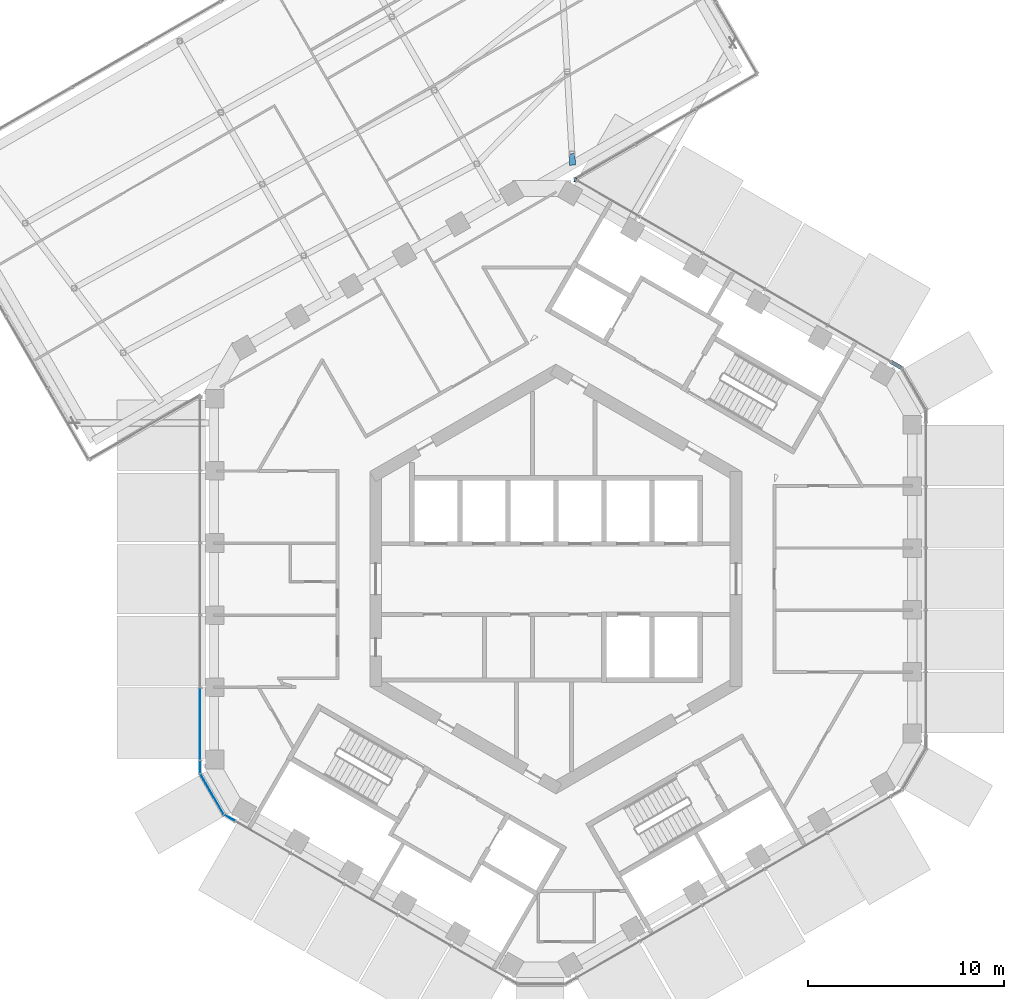
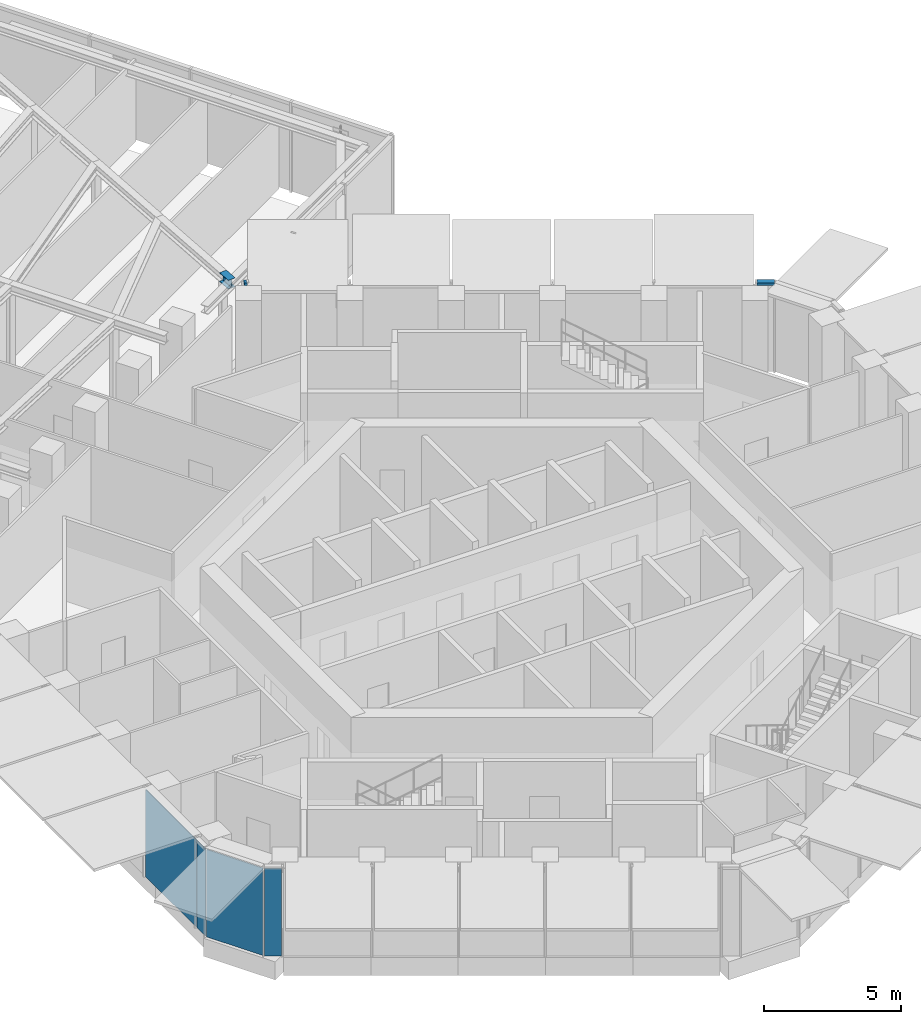
# One storey, part 11 of 27: 4 plates, 2 members, 1 beam, 4 elements without a shape of their own.
"""IFC4 building model written with IfcOpenShell, lengths in metres."""

from ifc_helpers import new_model, si_unit, direction, frame, origin, origin_2d, place, context, subcontext, project, spatial, rectangle, i_section, extrude, material, layer, layer_set, material_profile, profile_set, type_object, element, aggregate, save


model = new_model("IFC4")

# Units and contexts
model_context = context("Model", 3, precision=1e-05, world=origin(), true_north=direction((0.0, 1.0)))
body_context = subcontext(model_context, "Body", "Model", "MODEL_VIEW")
ifc_project = project(units=[si_unit("LENGTHUNIT", "METRE"), si_unit("AREAUNIT", "SQUARE_METRE"), si_unit("VOLUMEUNIT", "CUBIC_METRE"), si_unit("PLANEANGLEUNIT", "RADIAN"), si_unit("MASSUNIT", "GRAM", prefix="KILO")], contexts=[model_context])

# Site, building, storey
site_placement = place(None, origin())
site = spatial("IfcSite", under=ifc_project, at=site_placement, CompositionType="ELEMENT")
building_placement = place(site_placement, origin())
building = spatial("IfcBuilding", under=site, at=building_placement, Name="Ayvan Gate Tower", CompositionType="ELEMENT")
storey_placement = place(building_placement, frame((0.0, 0.0, 194.699951171875)))
storey = spatial("IfcBuildingStorey", under=building, at=storey_placement, Name="L52", CompositionType="ELEMENT", Elevation=194.699951171875)

# Beam
ifc_material_1 = material(Name="Steel S460ML", Category="steel")
ifc_material_profile_1 = material_profile(ifc_material_1, i_section(OverallWidth=0.300048828125, OverallDepth=0.39990234375, WebThickness=0.013427734375, FlangeThickness=0.02392578125, FilletRadius=0.027099609375, at=origin_2d()), Name="HE 400 B")
ifc_profile_set_1 = profile_set([ifc_material_profile_1], Name="Steel S460ML")
beam_type = type_object("IfcBeamType", Name="Sky bar roof beam B4 HE 400 B", PredefinedType="BEAM", material=ifc_profile_set_1)
beam_placement = place(storey_placement, frame((0.85546875, 21.12451171875, 3.5), z_axis=(-0.057843795242, 0.998325645945, 0.0), x_axis=(-0.998325645945, -0.057843795242, 0.0)))
element("IfcBeam", 1, at=beam_placement, inside=storey, type_object=beam_type, Name="RB-B4-SBT4-1-1", PredefinedType="BEAM", context=body_context, shape_type="SweptSolid", body=[
    extrude(i_section(OverallWidth=0.300048828125, OverallDepth=0.39990234375, WebThickness=0.013427734375, FlangeThickness=0.02392578125, FilletRadius=0.027099609375, at=origin_2d()), origin(), (0.0, 0.0, 1.0), 0.586669921875),
])

# Curtain wall, member
ifc_material_2 = material(Name="Bronze anodised aluminium", Category="aluminium")
ifc_layer_1 = layer(ifc_material_2, 0.199951171875)
ifc_layer_set_1 = layer_set([ifc_layer_1], Name="Bronze anodised aluminium")
curtain_wall_type_1 = type_object("IfcCurtainWallType", Name="Stick curtain wall CW-6", PredefinedType="NOTDEFINED", material=ifc_layer_set_1)
curtain_wall_1_placement = place(storey_placement, origin())
curtain_wall_1 = element("IfcCurtainWall", 2, at=curtain_wall_1_placement, inside=storey, type_object=curtain_wall_type_1, Name="Stick curtain wall CW-6 L52", PredefinedType="NOTDEFINED")
ifc_material_profile_2 = material_profile(ifc_material_2, rectangle(XDim=0.199951171875, YDim=0.1201171875, at=origin_2d()), Name="Stick curtain wall CW-6 transom 200 x 120")
ifc_profile_set_2 = profile_set([ifc_material_profile_2], Name="Bronze anodised aluminium")
member_type = type_object("IfcMemberType", Name="Stick curtain wall CW-6 transom 200 x 120", PredefinedType="USERDEFINED", material=ifc_profile_set_2)
member_1_placement = place(storey_placement, frame((17.65771484375, 10.76708984375, 3.93994140625), z_axis=(-0.866022959057, 0.500004234368, 0.0), x_axis=(-0.500004234368, -0.866022959057, 0.0)))
member_1 = element("IfcMember", 3, at=member_1_placement, type_object=member_type, Name="CW-6 transom 3", ObjectType="TRANSOM", PredefinedType="USERDEFINED", context=body_context, shape_type="SweptSolid", body=[
    extrude(rectangle(XDim=0.199951171875, YDim=0.1201171875, at=origin_2d()), origin(), (0.0, 0.0, 1.0), 0.625),
])
aggregate(curtain_wall_1, [member_1])

curtain_wall_2_placement = place(storey_placement, origin())
curtain_wall_2 = element("IfcCurtainWall", 4, at=curtain_wall_2_placement, inside=storey, type_object=curtain_wall_type_1, Name="Stick curtain wall CW-6 L52", PredefinedType="NOTDEFINED")
member_2_placement = place(storey_placement, frame((1.037109375, 20.363037109375, 3.93994140625), z_axis=(-0.966112425525, 0.258121640407, 0.0), x_axis=(-0.258121640407, -0.966112425525, 0.0)))
member_2 = element("IfcMember", 5, at=member_2_placement, type_object=member_type, Name="CW-6 transom 1", ObjectType="TRANSOM", PredefinedType="USERDEFINED", context=body_context, shape_type="SweptSolid", body=[
    extrude(rectangle(XDim=0.199951171875, YDim=0.1201171875, at=origin_2d()), origin(), (0.0, 0.0, 1.0), 0.099365234375),
])
aggregate(curtain_wall_2, [member_2])

# Curtain wall, plate
ifc_layer_2 = layer(ifc_material_2, 0.199951171875)
ifc_layer_set_2 = layer_set([ifc_layer_2], Name="Bronze anodised aluminium")
curtain_wall_type_2 = type_object("IfcCurtainWallType", Name="Stick curtain wall CW-2", PredefinedType="NOTDEFINED", material=ifc_layer_set_2)
curtain_wall_3_placement = place(storey_placement, origin())
curtain_wall_3 = element("IfcCurtainWall", 6, at=curtain_wall_3_placement, inside=storey, type_object=curtain_wall_type_2, Name="Stick curtain wall CW-2 L52", PredefinedType="NOTDEFINED")
ifc_material_3 = material(Name="Clear low-iron laminated glass", Category="glass")
ifc_layer_3 = layer(ifc_material_3, 0.028076171875)
ifc_layer_set_3 = layer_set([ifc_layer_3], Name="Clear low-iron laminated glass")
plate_type_1 = type_object("IfcPlateType", Name="Stick curtain wall CW-2 glass panel", PredefinedType="CURTAIN_PANEL", material=ifc_layer_set_3)
plate_1_placement = place(storey_placement, frame((-18.1533203125, -7.405029296875, 0.0), z_axis=(0.0, 0.0, 1.0), x_axis=(0.0, -1.0, 0.0)))
plate_1 = element("IfcPlate", 7, at=plate_1_placement, type_object=plate_type_1, Name="CW-2 glass panel 5", PredefinedType="CURTAIN_PANEL", context=body_context, shape_type="SweptSolid", body=[
    extrude(rectangle(XDim=3.686767578125, YDim=0.028076171875, at=origin_2d()), origin(), (0.0, 0.0, 1.0), 3.8798828125),
])
aggregate(curtain_wall_3, [plate_1])

# Curtain wall, plates
curtain_wall_4_placement = place(storey_placement, origin())
curtain_wall_4 = element("IfcCurtainWall", 8, at=curtain_wall_4_placement, inside=storey, type_object=curtain_wall_type_1, Name="Stick curtain wall CW-6 L52", PredefinedType="NOTDEFINED")
ifc_layer_4 = layer(ifc_material_3, 0.028076171875)
ifc_layer_set_4 = layer_set([ifc_layer_4], Name="Clear low-iron laminated glass")
plate_type_2 = type_object("IfcPlateType", Name="Stick curtain wall CW-6 glass panel", PredefinedType="CURTAIN_PANEL", material=ifc_layer_set_4)
plate_2_placement = place(storey_placement, frame((-18.1533203125, -9.595947265625, 0.0), z_axis=(0.0, 0.0, 1.0), x_axis=(0.0, -1.0, 0.0)))
plate_2 = element("IfcPlate", 9, at=plate_2_placement, type_object=plate_type_2, Name="CW-6 glass panel 1", PredefinedType="CURTAIN_PANEL", context=body_context, shape_type="SweptSolid", body=[
    extrude(rectangle(XDim=0.625, YDim=0.028076171875, at=origin_2d()), origin(), (0.0, 0.0, 1.0), 3.8798828125),
])
plate_3_placement = place(storey_placement, frame((-17.5498046875, -10.97900390625, 0.0), z_axis=(0.0, 0.0, 1.0), x_axis=(0.5, -0.866025403784, 0.0)))
plate_3 = element("IfcPlate", 10, at=plate_3_placement, type_object=plate_type_2, Name="CW-6 glass panel 2", PredefinedType="CURTAIN_PANEL", context=body_context, shape_type="SweptSolid", body=[
    extrude(rectangle(XDim=2.364501953125, YDim=0.028076171875, at=origin_2d()), origin(), (0.0, 0.0, 1.0), 3.8798828125),
])
plate_4_placement = place(storey_placement, frame((-16.65380859375, -12.193115234375, 0.0), z_axis=(0.0, 0.0, 1.0), x_axis=(0.866025403784, -0.5, 0.0)))
plate_4 = element("IfcPlate", 11, at=plate_4_placement, type_object=plate_type_2, Name="CW-6 glass panel 3", PredefinedType="CURTAIN_PANEL", context=body_context, shape_type="SweptSolid", body=[
    extrude(rectangle(XDim=0.625, YDim=0.028076171875, at=origin_2d()), origin(), (0.0, 0.0, 1.0), 3.8798828125),
])
aggregate(curtain_wall_4, [plate_2, plate_3, plate_4])

save(model, "model.ifc")
